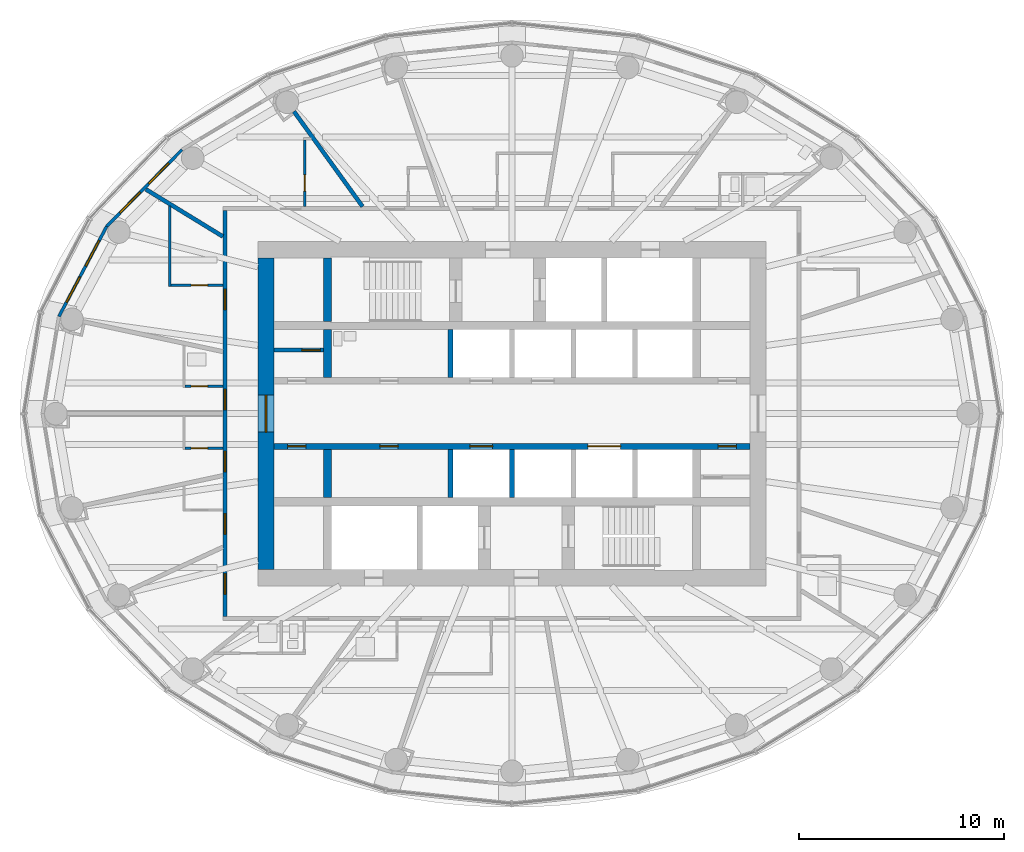
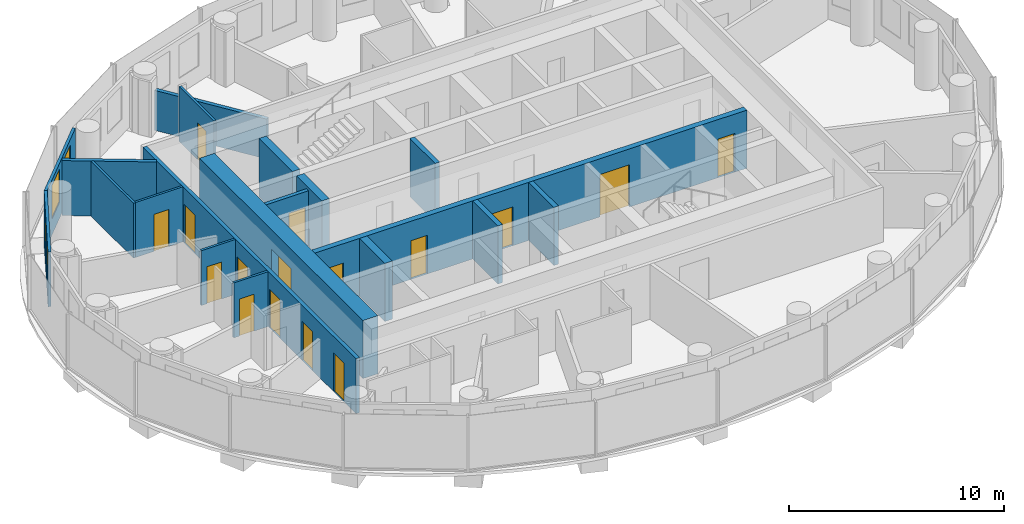
# One storey, part 9 of 16: 19 walls, 16 doors, 4 windows, 20 openings.
"""IFC4 building model written with IfcOpenShell, lengths in metres."""

from ifc_helpers import new_model, si_unit, direction, frame, frame_2d, origin, place, context, subcontext, project, spatial, rectangle, extrude, material, layer, layer_set, type_object, element, fill, save


model = new_model("IFC4")

# Units and contexts
model_context = context("Model", 3, precision=1e-05, world=origin(), true_north=direction((0.0, 1.0)))
body_context = subcontext(model_context, "Body", "Model", "MODEL_VIEW")
ifc_project = project(units=[si_unit("LENGTHUNIT", "METRE"), si_unit("AREAUNIT", "SQUARE_METRE"), si_unit("VOLUMEUNIT", "CUBIC_METRE"), si_unit("PLANEANGLEUNIT", "RADIAN"), si_unit("MASSUNIT", "GRAM", prefix="KILO")], contexts=[model_context])

# Site, building, storey
site_placement = place(None, origin())
site = spatial("IfcSite", under=ifc_project, at=site_placement, CompositionType="ELEMENT")
building_placement = place(site_placement, origin())
building = spatial("IfcBuilding", under=site, at=building_placement, Name="Hankou Lantern Tower", CompositionType="ELEMENT")
storey_placement = place(building_placement, frame((0.0, 0.0, 143.39990234375)))
storey = spatial("IfcBuildingStorey", under=building, at=storey_placement, Name="L37", CompositionType="ELEMENT", Elevation=143.39990234375)

# Wall, opening, door
ifc_material_1 = material(Name="Concrete C60", Category="concrete")
ifc_layer_1 = layer(ifc_material_1, 0.800048828125)
ifc_layer_set_1 = layer_set([ifc_layer_1], Name="Concrete C60")
wall_type_1 = type_object("IfcWallType", Name="CW2 CORE WALL 800", PredefinedType="SHEAR", material=ifc_layer_set_1)
wall_1_placement = place(storey_placement, frame((-12.0, 7.60009765625, 0.0), z_axis=(0.0, 0.0, 1.0), x_axis=(0.0, -1.0, 0.0)))
wall_1 = element("IfcWall", 1, at=wall_1_placement, inside=storey, type_object=wall_type_1, Name="Core wall west L37", PredefinedType="SHEAR", context=body_context, shape_type="SweptSolid", body=[
    extrude(rectangle(XDim=15.2001953125, YDim=0.800048828125, at=frame_2d((7.60009765625, 0.0))), origin(), (0.0, 0.0, 1.0), 3.300048828125),
])
opening_1_placement = place(wall_1_placement, frame((6.699951171875, 0.0, 0.0)))
opening_1 = element("IfcOpeningElement", 2, at=opening_1_placement, cuts=wall_1, Name="Opening D6", PredefinedType="OPENING", context=body_context, shape_type="SweptSolid", body=[
    extrude(rectangle(XDim=1.800048828125, YDim=2.199951171875, at=frame_2d((0.89990234375, 1.10009765625))), frame((0.0, 0.409912109375, 0.0), z_axis=(0.0, -1.0, 0.0), x_axis=(1.0, 0.0, 0.0)), (0.0, 0.0, 1.0), 0.820068359375),
])
ifc_material_2 = material(Name="Steel door leaf", Category="steel")
door_type_1 = type_object("IfcDoorType", Name="D6 LIFT LOBBY DOOR 1800X2200", OperationType="DOUBLE_DOOR_DOUBLE_SWING", PredefinedType="DOOR", material=ifc_material_2)
door_1_placement = place(opening_1_placement, origin())
door_1 = element("IfcDoor", 3, at=door_1_placement, inside=storey, type_object=door_type_1, Name="Lift lobby west door", OperationType="DOUBLE_DOOR_DOUBLE_SWING", OverallHeight=2.199951171875, OverallWidth=1.800048828125, PredefinedType="DOOR", context=body_context, shape_type="SweptSolid", body=[
    extrude(rectangle(XDim=1.800048828125, YDim=2.199951171875, at=frame_2d((0.89990234375, 1.10009765625))), frame((0.0, 0.02490234375, 0.0), z_axis=(0.0, -1.0, 0.0), x_axis=(1.0, 0.0, 0.0)), (0.0, 0.0, 1.0), 0.050048828125),
])
fill(opening_1, door_1)

# Walls
ifc_material_3 = material(Name="Concrete C60", Category="concrete")
ifc_layer_2 = layer(ifc_material_3, 0.39990234375)
ifc_layer_set_2 = layer_set([ifc_layer_2], Name="Concrete C60")
wall_type_2 = type_object("IfcWallType", Name="CW4 CORE CROSS WALL 400", PredefinedType="SHEAR", material=ifc_layer_set_2)
wall_2_placement = place(storey_placement, frame((-9.0, 4.5, 0.0), z_axis=(0.0, 0.0, 1.0), x_axis=(0.0, 1.0, 0.0)))
element("IfcWall", 4, at=wall_2_placement, inside=storey, type_object=wall_type_2, Name="Core strip wall L37", PredefinedType="SHEAR", context=body_context, shape_type="SweptSolid", body=[
    extrude(rectangle(XDim=3.10009765625, YDim=0.39990234375, at=frame_2d((1.550048828125, 0.0))), origin(), (0.0, 0.0, 1.0), 3.300048828125),
])
for number, where, z_axis, x_axis, name in (
    (5, (-9.0, 1.75, 0.0), (0.0, 0.0, 1.0), (0.0, 1.0, 0.0), "Core strip wall L37"),
    (6, (-9.0, -4.10009765625, 0.0), (0.0, 0.0, 1.0), (0.0, 1.0, 0.0), "Core strip wall L37"),
):
    element("IfcWall", number, at=place(storey_placement, frame(where, z_axis=z_axis, x_axis=x_axis)), inside=storey, type_object=wall_type_2, Name=name, PredefinedType="SHEAR", context=body_context, shape_type="SweptSolid", body=[
        extrude(rectangle(XDim=2.35009765625, YDim=0.39990234375, at=frame_2d((1.175048828125, 0.0))), origin(), (0.0, 0.0, 1.0), 3.300048828125),
    ])

# Wall, openings, doors
ifc_material_4 = material(Name="Concrete C60", Category="concrete")
ifc_layer_3 = layer(ifc_material_4, 0.300048828125)
ifc_layer_set_3 = layer_set([ifc_layer_3], Name="Concrete C60")
wall_type_3 = type_object("IfcWallType", Name="CW5 LIFT LOBBY WALL 300", PredefinedType="SHEAR", material=ifc_layer_set_3)
wall_3_placement = place(storey_placement, frame((-11.60009765625, -1.60009765625, 0.0), z_axis=(0.0, 0.0, 1.0), x_axis=(1.0, 0.0, 0.0)))
wall_3 = element("IfcWall", 7, at=wall_3_placement, inside=storey, type_object=wall_type_3, Name="Lift lobby wall south L37", PredefinedType="SHEAR", context=body_context, shape_type="SweptSolid", body=[
    extrude(rectangle(XDim=23.2001953125, YDim=0.300048828125, at=frame_2d((11.60009765625, 0.0))), origin(), (0.0, 0.0, 1.0), 3.300048828125),
])
opening_2_placement = place(wall_3_placement, frame((9.550048828125, 0.0, 0.0)))
opening_2 = element("IfcOpeningElement", 8, at=opening_2_placement, cuts=wall_3, Name="Opening LD1", PredefinedType="OPENING", context=body_context, shape_type="SweptSolid", body=[
    extrude(rectangle(XDim=1.10009765625, YDim=2.199951171875, at=frame_2d((0.550048828125, 1.10009765625))), frame((0.0, 0.159912109375, 0.0), z_axis=(0.0, -1.0, 0.0), x_axis=(1.0, 0.0, 0.0)), (0.0, 0.0, 1.0), 0.320068359375),
])
opening_3_placement = place(wall_3_placement, frame((15.300048828125, 0.0, 0.0)))
opening_3 = element("IfcOpeningElement", 9, at=opening_3_placement, cuts=wall_3, Name="Opening LD4", PredefinedType="OPENING", context=body_context, shape_type="SweptSolid", body=[
    extrude(rectangle(XDim=1.60009765625, YDim=2.39990234375, at=frame_2d((0.800048828125, 1.199951171875))), frame((0.0, 0.159912109375, 0.0), z_axis=(0.0, -1.0, 0.0), x_axis=(1.0, 0.0, 0.0)), (0.0, 0.0, 1.0), 0.320068359375),
])
opening_4_placement = place(wall_3_placement, frame((0.64990234375, 0.0, 0.0)))
opening_4 = element("IfcOpeningElement", 10, at=opening_4_placement, cuts=wall_3, Name="Opening D30", PredefinedType="OPENING", context=body_context, shape_type="SweptSolid", body=[
    extrude(rectangle(XDim=0.89990234375, YDim=2.199951171875, at=frame_2d((0.449951171875, 1.10009765625))), frame((0.0, 0.159912109375, 0.0), z_axis=(0.0, -1.0, 0.0), x_axis=(1.0, 0.0, 0.0)), (0.0, 0.0, 1.0), 0.320068359375),
])
opening_5_placement = place(wall_3_placement, frame((5.14990234375, 0.0, 0.0)))
opening_5 = element("IfcOpeningElement", 11, at=opening_5_placement, cuts=wall_3, Name="Opening D30", PredefinedType="OPENING", context=body_context, shape_type="SweptSolid", body=[
    extrude(rectangle(XDim=0.89990234375, YDim=2.199951171875, at=frame_2d((0.449951171875, 1.10009765625))), frame((0.0, 0.159912109375, 0.0), z_axis=(0.0, -1.0, 0.0), x_axis=(1.0, 0.0, 0.0)), (0.0, 0.0, 1.0), 0.320068359375),
])
opening_6_placement = place(wall_3_placement, frame((21.64990234375, 0.0, 0.0)))
opening_6 = element("IfcOpeningElement", 12, at=opening_6_placement, cuts=wall_3, Name="Opening D30", PredefinedType="OPENING", context=body_context, shape_type="SweptSolid", body=[
    extrude(rectangle(XDim=0.89990234375, YDim=2.199951171875, at=frame_2d((0.449951171875, 1.10009765625))), frame((0.0, 0.159912109375, 0.0), z_axis=(0.0, -1.0, 0.0), x_axis=(1.0, 0.0, 0.0)), (0.0, 0.0, 1.0), 0.320068359375),
])
ifc_material_5 = material(Name="Steel door leaf", Category="steel")
door_type_2 = type_object("IfcDoorType", Name="D30 CORE ROOM DOOR 900X2200", OperationType="SINGLE_SWING_LEFT", PredefinedType="DOOR", material=ifc_material_5)
door_2_placement = place(opening_4_placement, origin())
door_2 = element("IfcDoor", 13, at=door_2_placement, inside=storey, type_object=door_type_2, Name="IT and telecoms room door", OperationType="SINGLE_SWING_LEFT", OverallHeight=2.199951171875, OverallWidth=0.89990234375, PredefinedType="DOOR", context=body_context, shape_type="SweptSolid", body=[
    extrude(rectangle(XDim=0.89990234375, YDim=2.199951171875, at=frame_2d((0.449951171875, 1.10009765625))), frame((0.0, 0.02490234375, 0.0), z_axis=(0.0, -1.0, 0.0), x_axis=(1.0, 0.0, 0.0)), (0.0, 0.0, 1.0), 0.050048828125),
])
fill(opening_4, door_2)
door_3_placement = place(opening_5_placement, origin())
door_3 = element("IfcDoor", 14, at=door_3_placement, inside=storey, type_object=door_type_2, Name="Engineering store door", OperationType="SINGLE_SWING_LEFT", OverallHeight=2.199951171875, OverallWidth=0.89990234375, PredefinedType="DOOR", context=body_context, shape_type="SweptSolid", body=[
    extrude(rectangle(XDim=0.89990234375, YDim=2.199951171875, at=frame_2d((0.449951171875, 1.10009765625))), frame((0.0, 0.02490234375, 0.0), z_axis=(0.0, -1.0, 0.0), x_axis=(1.0, 0.0, 0.0)), (0.0, 0.0, 1.0), 0.050048828125),
])
fill(opening_5, door_3)
door_4_placement = place(opening_6_placement, origin())
door_4 = element("IfcDoor", 15, at=door_4_placement, inside=storey, type_object=door_type_2, Name="Cleaner's store door", OperationType="SINGLE_SWING_RIGHT", OverallHeight=2.199951171875, OverallWidth=0.89990234375, PredefinedType="DOOR", context=body_context, shape_type="SweptSolid", body=[
    extrude(rectangle(XDim=0.89990234375, YDim=2.199951171875, at=frame_2d((0.449951171875, 1.10009765625))), frame((0.0, 0.02490234375, 0.0), z_axis=(0.0, -1.0, 0.0), x_axis=(1.0, 0.0, 0.0)), (0.0, 0.0, 1.0), 0.050048828125),
])
fill(opening_6, door_4)
ifc_material_6 = material(Name="Steel door leaf", Category="steel")
door_type_3 = type_object("IfcDoorType", Name="LD1 LIFT LANDING DOOR 1100X2200", OperationType="DOUBLE_DOOR_SLIDING", PredefinedType="DOOR", material=ifc_material_6)
door_5_placement = place(opening_2_placement, origin())
door_5 = element("IfcDoor", 16, at=door_5_placement, inside=storey, type_object=door_type_3, Name="Lift H3 landing door", OperationType="DOUBLE_DOOR_SLIDING", OverallHeight=2.199951171875, OverallWidth=1.10009765625, PredefinedType="DOOR", context=body_context, shape_type="SweptSolid", body=[
    extrude(rectangle(XDim=1.10009765625, YDim=2.199951171875, at=frame_2d((0.550048828125, 1.10009765625))), frame((0.0, 0.02490234375, 0.0), z_axis=(0.0, -1.0, 0.0), x_axis=(1.0, 0.0, 0.0)), (0.0, 0.0, 1.0), 0.050048828125),
])
fill(opening_2, door_5)
ifc_material_7 = material(Name="Steel door leaf", Category="steel")
door_type_4 = type_object("IfcDoorType", Name="LD4 SERVICE LIFT LANDING DOOR 1600X2400", OperationType="DOUBLE_DOOR_SLIDING", PredefinedType="DOOR", material=ifc_material_7)
door_6_placement = place(opening_3_placement, origin())
door_6 = element("IfcDoor", 17, at=door_6_placement, inside=storey, type_object=door_type_4, Name="Lift SV1 landing door", OperationType="DOUBLE_DOOR_SLIDING", OverallHeight=2.39990234375, OverallWidth=1.60009765625, PredefinedType="DOOR", context=body_context, shape_type="SweptSolid", body=[
    extrude(rectangle(XDim=1.60009765625, YDim=2.39990234375, at=frame_2d((0.800048828125, 1.199951171875))), frame((0.0, 0.02490234375, 0.0), z_axis=(0.0, -1.0, 0.0), x_axis=(1.0, 0.0, 0.0)), (0.0, 0.0, 1.0), 0.050048828125),
])
fill(opening_3, door_6)

# Wall, openings, windows
ifc_material_8 = material(Name="Aluminium spandrel panel on steel studs", Category="steel")
ifc_layer_4 = layer(ifc_material_8, 0.14990234375)
ifc_layer_set_4 = layer_set([ifc_layer_4], Name="Aluminium spandrel panel on steel studs")
wall_type_4 = type_object("IfcWallType", Name="EW1 INNER SKIN WALL 150", PredefinedType="ELEMENTEDWALL", material=ifc_layer_set_4)
wall_4_placement = place(storey_placement, frame((-16.0947265625, 12.875732421875, 0.0), z_axis=(0.0, 0.0, 1.0), x_axis=(-0.700727467776, -0.71342905457, 0.0)))
wall_4 = element("IfcWall", 18, at=wall_4_placement, inside=storey, type_object=wall_type_4, Name="Inner skin R10-R11 L37", PredefinedType="ELEMENTEDWALL", context=body_context, shape_type="SweptSolid", body=[
    extrude(rectangle(XDim=5.247314453125, YDim=0.14990234375, at=frame_2d((2.62353515625, 0.0))), origin(), (0.0, 0.0, 1.0), 3.1201171875),
])
opening_7_placement = place(wall_4_placement, frame((0.923583984375, 0.0, 0.89990234375)))
opening_7 = element("IfcOpeningElement", 19, at=opening_7_placement, cuts=wall_4, Name="Opening W3", PredefinedType="OPENING", context=body_context, shape_type="SweptSolid", body=[
    extrude(rectangle(XDim=1.39990234375, YDim=1.89990234375, at=frame_2d((0.699951171875, 0.949951171875))), frame((0.0, 0.0849609375, 0.0), z_axis=(0.0, -1.0, 0.0), x_axis=(1.0, 0.0, 0.0)), (0.0, 0.0, 1.0), 0.169921875),
])
opening_8_placement = place(wall_4_placement, frame((2.923583984375, 0.0, 0.89990234375)))
opening_8 = element("IfcOpeningElement", 20, at=opening_8_placement, cuts=wall_4, Name="Opening W3", PredefinedType="OPENING", context=body_context, shape_type="SweptSolid", body=[
    extrude(rectangle(XDim=1.39990234375, YDim=1.89990234375, at=frame_2d((0.699951171875, 0.949951171875))), frame((0.0, 0.0849609375, 0.0), z_axis=(0.0, -1.0, 0.0), x_axis=(1.0, 0.0, 0.0)), (0.0, 0.0, 1.0), 0.169921875),
])
ifc_material_9 = material(Name="Aluminium framed double glazed window", Category="aluminium")
window_type = type_object("IfcWindowType", Name="W3 GUEST ROOM WINDOW 1400X1900", PartitioningType="DOUBLE_PANEL_VERTICAL", PredefinedType="WINDOW", material=ifc_material_9)
window_1_placement = place(opening_7_placement, origin())
window_1 = element("IfcWindow", 21, at=window_1_placement, inside=storey, type_object=window_type, Name="Window R10.1 L37", OverallHeight=1.89990234375, OverallWidth=1.39990234375, PartitioningType="SINGLE_PANEL", PredefinedType="WINDOW", context=body_context, shape_type="SweptSolid", body=[
    extrude(rectangle(XDim=1.39990234375, YDim=1.89990234375, at=frame_2d((0.699951171875, 0.949951171875))), frame((0.0, 0.030029296875, 0.0), z_axis=(0.0, -1.0, 0.0), x_axis=(1.0, 0.0, 0.0)), (0.0, 0.0, 1.0), 0.06005859375),
])
fill(opening_7, window_1)
window_2_placement = place(opening_8_placement, origin())
window_2 = element("IfcWindow", 22, at=window_2_placement, inside=storey, type_object=window_type, Name="Window R10.2 L37", OverallHeight=1.89990234375, OverallWidth=1.39990234375, PartitioningType="SINGLE_PANEL", PredefinedType="WINDOW", context=body_context, shape_type="SweptSolid", body=[
    extrude(rectangle(XDim=1.39990234375, YDim=1.89990234375, at=frame_2d((0.699951171875, 0.949951171875))), frame((0.0, 0.030029296875, 0.0), z_axis=(0.0, -1.0, 0.0), x_axis=(1.0, 0.0, 0.0)), (0.0, 0.0, 1.0), 0.06005859375),
])
fill(opening_8, window_2)

wall_5_placement = place(storey_placement, frame((-19.771728515625, 9.132080078125, 0.0), z_axis=(0.0, 0.0, 1.0), x_axis=(-0.468428906714, -0.883501193748, 0.0)))
wall_5 = element("IfcWall", 23, at=wall_5_placement, inside=storey, type_object=wall_type_4, Name="Inner skin R11-R12 L37", PredefinedType="ELEMENTEDWALL", context=body_context, shape_type="SweptSolid", body=[
    extrude(rectangle(XDim=4.9736328125, YDim=0.14990234375, at=frame_2d((2.48681640625, 0.0))), origin(), (0.0, 0.0, 1.0), 3.1201171875),
])
opening_9_placement = place(wall_5_placement, frame((0.786865234375, 0.0, 0.89990234375)))
opening_9 = element("IfcOpeningElement", 24, at=opening_9_placement, cuts=wall_5, Name="Opening W3", PredefinedType="OPENING", context=body_context, shape_type="SweptSolid", body=[
    extrude(rectangle(XDim=1.39990234375, YDim=1.89990234375, at=frame_2d((0.699951171875, 0.949951171875))), frame((0.0, 0.0849609375, 0.0), z_axis=(0.0, -1.0, 0.0), x_axis=(1.0, 0.0, 0.0)), (0.0, 0.0, 1.0), 0.169921875),
])
opening_10_placement = place(wall_5_placement, frame((2.786865234375, 0.0, 0.89990234375)))
opening_10 = element("IfcOpeningElement", 25, at=opening_10_placement, cuts=wall_5, Name="Opening W3", PredefinedType="OPENING", context=body_context, shape_type="SweptSolid", body=[
    extrude(rectangle(XDim=1.39990234375, YDim=1.89990234375, at=frame_2d((0.699951171875, 0.949951171875))), frame((0.0, 0.0849609375, 0.0), z_axis=(0.0, -1.0, 0.0), x_axis=(1.0, 0.0, 0.0)), (0.0, 0.0, 1.0), 0.169921875),
])
window_3_placement = place(opening_9_placement, origin())
window_3 = element("IfcWindow", 26, at=window_3_placement, inside=storey, type_object=window_type, Name="Window R11.1 L37", OverallHeight=1.89990234375, OverallWidth=1.39990234375, PartitioningType="SINGLE_PANEL", PredefinedType="WINDOW", context=body_context, shape_type="SweptSolid", body=[
    extrude(rectangle(XDim=1.39990234375, YDim=1.89990234375, at=frame_2d((0.699951171875, 0.949951171875))), frame((0.0, 0.030029296875, 0.0), z_axis=(0.0, -1.0, 0.0), x_axis=(1.0, 0.0, 0.0)), (0.0, 0.0, 1.0), 0.06005859375),
])
fill(opening_9, window_3)
window_4_placement = place(opening_10_placement, origin())
window_4 = element("IfcWindow", 27, at=window_4_placement, inside=storey, type_object=window_type, Name="Window R11.2 L37", OverallHeight=1.89990234375, OverallWidth=1.39990234375, PartitioningType="SINGLE_PANEL", PredefinedType="WINDOW", context=body_context, shape_type="SweptSolid", body=[
    extrude(rectangle(XDim=1.39990234375, YDim=1.89990234375, at=frame_2d((0.699951171875, 0.949951171875))), frame((0.0, 0.030029296875, 0.0), z_axis=(0.0, -1.0, 0.0), x_axis=(1.0, 0.0, 0.0)), (0.0, 0.0, 1.0), 0.06005859375),
])
fill(opening_10, window_4)

# Wall
ifc_material_10 = material(Name="Masonry lightweight concrete block", Category="masonry")
ifc_layer_5 = layer(ifc_material_10, 0.199951171875)
ifc_layer_set_5 = layer_set([ifc_layer_5], Name="Masonry lightweight concrete block")
wall_type_5 = type_object("IfcWallType", Name="IW1 GUEST ROOM PARTY WALL 200", PredefinedType="PARTITIONING", material=ifc_layer_set_5)
wall_6_placement = place(storey_placement, frame((-14.10009765625, 8.63623046875, 0.0), z_axis=(0.0, 0.0, 1.0), x_axis=(-0.852731884196, 0.522348862041, 0.0)))
element("IfcWall", 28, at=wall_6_placement, inside=storey, type_object=wall_type_5, Name="Party wall R10-R11", PredefinedType="PARTITIONING", context=body_context, shape_type="SweptSolid", body=[
    extrude(rectangle(XDim=4.404296875, YDim=0.199951171875, at=frame_2d((2.2021484375, 0.0))), origin(), (0.0, 0.0, 1.0), 3.1201171875),
])

# Wall, openings, doors
ifc_material_11 = material(Name="Masonry lightweight concrete block", Category="masonry")
ifc_layer_6 = layer(ifc_material_11, 0.199951171875)
ifc_layer_set_6 = layer_set([ifc_layer_6], Name="Masonry lightweight concrete block")
wall_type_6 = type_object("IfcWallType", Name="IW2 CORRIDOR WALL 200", PredefinedType="PARTITIONING", material=ifc_layer_set_6)
wall_7_placement = place(storey_placement, frame((-14.0, 9.89990234375, 0.0), z_axis=(0.0, 0.0, 1.0), x_axis=(0.0, -1.0, 0.0)))
wall_7 = element("IfcWall", 29, at=wall_7_placement, inside=storey, type_object=wall_type_6, Name="Corridor wall west", PredefinedType="PARTITIONING", context=body_context, shape_type="SweptSolid", body=[
    extrude(rectangle(XDim=19.7998046875, YDim=0.199951171875, at=frame_2d((9.89990234375, 0.0))), origin(), (0.0, 0.0, 1.0), 3.1201171875),
])
opening_11_placement = place(wall_7_placement, frame((8.717529296875, 0.0, 0.0)))
opening_11 = element("IfcOpeningElement", 30, at=opening_11_placement, cuts=wall_7, Name="Opening D13", PredefinedType="OPENING", context=body_context, shape_type="SweptSolid", body=[
    extrude(rectangle(XDim=1.0, YDim=2.199951171875, at=frame_2d((0.5, 1.10009765625))), frame((0.0, 0.10986328125, 0.0), z_axis=(0.0, -1.0, 0.0), x_axis=(1.0, 0.0, 0.0)), (0.0, 0.0, 1.0), 0.219970703125),
])
opening_12_placement = place(wall_7_placement, frame((11.739990234375, 0.0, 0.0)))
opening_12 = element("IfcOpeningElement", 31, at=opening_12_placement, cuts=wall_7, Name="Opening D13", PredefinedType="OPENING", context=body_context, shape_type="SweptSolid", body=[
    extrude(rectangle(XDim=1.0, YDim=2.199951171875, at=frame_2d((0.5, 1.10009765625))), frame((0.0, 0.10986328125, 0.0), z_axis=(0.0, -1.0, 0.0), x_axis=(1.0, 0.0, 0.0)), (0.0, 0.0, 1.0), 0.219970703125),
])
opening_13_placement = place(wall_7_placement, frame((14.782470703125, 0.0, 0.0)))
opening_13 = element("IfcOpeningElement", 32, at=opening_13_placement, cuts=wall_7, Name="Opening D13", PredefinedType="OPENING", context=body_context, shape_type="SweptSolid", body=[
    extrude(rectangle(XDim=1.0, YDim=2.199951171875, at=frame_2d((0.5, 1.10009765625))), frame((0.0, 0.10986328125, 0.0), z_axis=(0.0, -1.0, 0.0), x_axis=(1.0, 0.0, 0.0)), (0.0, 0.0, 1.0), 0.219970703125),
])
opening_14_placement = place(wall_7_placement, frame((17.706787109375, 0.0, 0.0)))
opening_14 = element("IfcOpeningElement", 33, at=opening_14_placement, cuts=wall_7, Name="Opening D13", PredefinedType="OPENING", context=body_context, shape_type="SweptSolid", body=[
    extrude(rectangle(XDim=1.0, YDim=2.199951171875, at=frame_2d((0.5, 1.10009765625))), frame((0.0, 0.10986328125, 0.0), z_axis=(0.0, -1.0, 0.0), x_axis=(1.0, 0.0, 0.0)), (0.0, 0.0, 1.0), 0.219970703125),
])
opening_15_placement = place(wall_7_placement, frame((3.82373046875, 0.0, 0.0)))
opening_15 = element("IfcOpeningElement", 34, at=opening_15_placement, cuts=wall_7, Name="Opening D1", PredefinedType="OPENING", context=body_context, shape_type="SweptSolid", body=[
    extrude(rectangle(XDim=1.0, YDim=2.199951171875, at=frame_2d((0.5, 1.10009765625))), frame((0.0, 0.10986328125, 0.0), z_axis=(0.0, -1.0, 0.0), x_axis=(1.0, 0.0, 0.0)), (0.0, 0.0, 1.0), 0.219970703125),
])
ifc_material_12 = material(Name="Steel door leaf", Category="steel")
door_type_5 = type_object("IfcDoorType", Name="D1 GUEST ROOM DOOR 1000X2200", OperationType="SINGLE_SWING_LEFT", PredefinedType="DOOR", material=ifc_material_12)
door_7_placement = place(opening_15_placement, origin())
door_7 = element("IfcDoor", 35, at=door_7_placement, inside=storey, type_object=door_type_5, Name="Guest room door 3717", OperationType="SINGLE_SWING_LEFT", OverallHeight=2.199951171875, OverallWidth=1.0, PredefinedType="DOOR", context=body_context, shape_type="SweptSolid", body=[
    extrude(rectangle(XDim=1.0, YDim=2.199951171875, at=frame_2d((0.5, 1.10009765625))), frame((0.0, 0.02490234375, 0.0), z_axis=(0.0, -1.0, 0.0), x_axis=(1.0, 0.0, 0.0)), (0.0, 0.0, 1.0), 0.050048828125),
])
fill(opening_15, door_7)
ifc_material_13 = material(Name="Timber door leaf", Category="wood")
door_type_6 = type_object("IfcDoorType", Name="D13 ROOM DOOR 1000X2200", OperationType="SINGLE_SWING_LEFT", PredefinedType="DOOR", material=ifc_material_13)
door_8_placement = place(opening_11_placement, origin())
door_8 = element("IfcDoor", 36, at=door_8_placement, inside=storey, type_object=door_type_6, Name="Room door 3701", OperationType="SINGLE_SWING_LEFT", OverallHeight=2.199951171875, OverallWidth=1.0, PredefinedType="DOOR", context=body_context, shape_type="SweptSolid", body=[
    extrude(rectangle(XDim=1.0, YDim=2.199951171875, at=frame_2d((0.5, 1.10009765625))), frame((0.0, 0.02490234375, 0.0), z_axis=(0.0, -1.0, 0.0), x_axis=(1.0, 0.0, 0.0)), (0.0, 0.0, 1.0), 0.050048828125),
])
fill(opening_11, door_8)
door_9_placement = place(opening_12_placement, origin())
door_9 = element("IfcDoor", 37, at=door_9_placement, inside=storey, type_object=door_type_6, Name="Room door 3702", OperationType="SINGLE_SWING_RIGHT", OverallHeight=2.199951171875, OverallWidth=1.0, PredefinedType="DOOR", context=body_context, shape_type="SweptSolid", body=[
    extrude(rectangle(XDim=1.0, YDim=2.199951171875, at=frame_2d((0.5, 1.10009765625))), frame((0.0, 0.02490234375, 0.0), z_axis=(0.0, -1.0, 0.0), x_axis=(1.0, 0.0, 0.0)), (0.0, 0.0, 1.0), 0.050048828125),
])
fill(opening_12, door_9)
door_10_placement = place(opening_13_placement, origin())
door_10 = element("IfcDoor", 38, at=door_10_placement, inside=storey, type_object=door_type_6, Name="Room door 3703", OperationType="SINGLE_SWING_RIGHT", OverallHeight=2.199951171875, OverallWidth=1.0, PredefinedType="DOOR", context=body_context, shape_type="SweptSolid", body=[
    extrude(rectangle(XDim=1.0, YDim=2.199951171875, at=frame_2d((0.5, 1.10009765625))), frame((0.0, 0.02490234375, 0.0), z_axis=(0.0, -1.0, 0.0), x_axis=(1.0, 0.0, 0.0)), (0.0, 0.0, 1.0), 0.050048828125),
])
fill(opening_13, door_10)
door_11_placement = place(opening_14_placement, origin())
door_11 = element("IfcDoor", 39, at=door_11_placement, inside=storey, type_object=door_type_6, Name="Room door 3704", OperationType="SINGLE_SWING_RIGHT", OverallHeight=2.199951171875, OverallWidth=1.0, PredefinedType="DOOR", context=body_context, shape_type="SweptSolid", body=[
    extrude(rectangle(XDim=1.0, YDim=2.199951171875, at=frame_2d((0.5, 1.10009765625))), frame((0.0, 0.02490234375, 0.0), z_axis=(0.0, -1.0, 0.0), x_axis=(1.0, 0.0, 0.0)), (0.0, 0.0, 1.0), 0.050048828125),
])
fill(opening_14, door_11)

# Wall, opening, door
ifc_material_14 = material(Name="Masonry lightweight concrete block", Category="masonry")
ifc_layer_7 = layer(ifc_material_14, 0.1201171875)
ifc_layer_set_7 = layer_set([ifc_layer_7], Name="Masonry lightweight concrete block")
wall_type_7 = type_object("IfcWallType", Name="IW3 BATHROOM WALL 120", PredefinedType="PARTITIONING", material=ifc_layer_set_7)
wall_8_placement = place(storey_placement, frame((-14.10009765625, 1.342529296875, 0.0), z_axis=(0.0, 0.0, 1.0), x_axis=(-1.0, 0.0, 0.0)))
wall_8 = element("IfcWall", 40, at=wall_8_placement, inside=storey, type_object=wall_type_7, Name="Box wall 3701 1", PredefinedType="PARTITIONING", context=body_context, shape_type="SweptSolid", body=[
    extrude(rectangle(XDim=1.83984375, YDim=0.1201171875, at=frame_2d((0.919921875, 0.0))), origin(), (0.0, 0.0, 1.0), 3.1201171875),
])
opening_16_placement = place(wall_8_placement, frame((0.75, 0.0, 0.0)))
opening_16 = element("IfcOpeningElement", 41, at=opening_16_placement, cuts=wall_8, Name="Opening D3", PredefinedType="OPENING", context=body_context, shape_type="SweptSolid", body=[
    extrude(rectangle(XDim=0.800048828125, YDim=2.10009765625, at=frame_2d((0.39990234375, 1.050048828125))), frame((0.0, 0.070068359375, 0.0), z_axis=(0.0, -1.0, 0.0), x_axis=(1.0, 0.0, 0.0)), (0.0, 0.0, 1.0), 0.14013671875),
])
ifc_material_15 = material(Name="Timber door leaf", Category="wood")
door_type_7 = type_object("IfcDoorType", Name="D3 BATHROOM DOOR 800X2100", OperationType="SINGLE_SWING_LEFT", PredefinedType="DOOR", material=ifc_material_15)
door_12_placement = place(opening_16_placement, origin())
door_12 = element("IfcDoor", 42, at=door_12_placement, inside=storey, type_object=door_type_7, Name="Spa treatment room 3701 shower room door", OperationType="SINGLE_SWING_LEFT", OverallHeight=2.10009765625, OverallWidth=0.800048828125, PredefinedType="DOOR", context=body_context, shape_type="SweptSolid", body=[
    extrude(rectangle(XDim=0.800048828125, YDim=2.10009765625, at=frame_2d((0.39990234375, 1.050048828125))), frame((0.0, 0.02490234375, 0.0), z_axis=(0.0, -1.0, 0.0), x_axis=(1.0, 0.0, 0.0)), (0.0, 0.0, 1.0), 0.050048828125),
])
fill(opening_16, door_12)

wall_9_placement = place(storey_placement, frame((-14.10009765625, -1.679931640625, 0.0), z_axis=(0.0, 0.0, 1.0), x_axis=(-1.0, 0.0, 0.0)))
wall_9 = element("IfcWall", 43, at=wall_9_placement, inside=storey, type_object=wall_type_7, Name="Box wall 3702 1", PredefinedType="PARTITIONING", context=body_context, shape_type="SweptSolid", body=[
    extrude(rectangle(XDim=1.83984375, YDim=0.1201171875, at=frame_2d((0.919921875, 0.0))), origin(), (0.0, 0.0, 1.0), 3.1201171875),
])
opening_17_placement = place(wall_9_placement, frame((0.75, 0.0, 0.0)))
opening_17 = element("IfcOpeningElement", 44, at=opening_17_placement, cuts=wall_9, Name="Opening D3", PredefinedType="OPENING", context=body_context, shape_type="SweptSolid", body=[
    extrude(rectangle(XDim=0.800048828125, YDim=2.10009765625, at=frame_2d((0.39990234375, 1.050048828125))), frame((0.0, 0.070068359375, 0.0), z_axis=(0.0, -1.0, 0.0), x_axis=(1.0, 0.0, 0.0)), (0.0, 0.0, 1.0), 0.14013671875),
])
door_13_placement = place(opening_17_placement, origin())
door_13 = element("IfcDoor", 45, at=door_13_placement, inside=storey, type_object=door_type_7, Name="Spa treatment room 3702 shower room door", OperationType="SINGLE_SWING_LEFT", OverallHeight=2.10009765625, OverallWidth=0.800048828125, PredefinedType="DOOR", context=body_context, shape_type="SweptSolid", body=[
    extrude(rectangle(XDim=0.800048828125, YDim=2.10009765625, at=frame_2d((0.39990234375, 1.050048828125))), frame((0.0, 0.02490234375, 0.0), z_axis=(0.0, -1.0, 0.0), x_axis=(1.0, 0.0, 0.0)), (0.0, 0.0, 1.0), 0.050048828125),
])
fill(opening_17, door_13)

wall_10_placement = place(storey_placement, frame((-10.119140625, 10.10009765625, 0.0), z_axis=(0.0, 0.0, 1.0), x_axis=(0.0, 1.0, 0.0)))
wall_10 = element("IfcWall", 46, at=wall_10_placement, inside=storey, type_object=wall_type_7, Name="Box wall 3716 1", PredefinedType="PARTITIONING", context=body_context, shape_type="SweptSolid", body=[
    extrude(rectangle(XDim=3.239990234375, YDim=0.1201171875, at=frame_2d((1.6201171875, 0.0))), origin(), (0.0, 0.0, 1.0), 3.1201171875),
])
opening_18_placement = place(wall_10_placement, frame((0.75, 0.0, 0.0)))
opening_18 = element("IfcOpeningElement", 47, at=opening_18_placement, cuts=wall_10, Name="Opening D3", PredefinedType="OPENING", context=body_context, shape_type="SweptSolid", body=[
    extrude(rectangle(XDim=0.800048828125, YDim=2.10009765625, at=frame_2d((0.39990234375, 1.050048828125))), frame((0.0, 0.070068359375, 0.0), z_axis=(0.0, -1.0, 0.0), x_axis=(1.0, 0.0, 0.0)), (0.0, 0.0, 1.0), 0.14013671875),
])
door_14_placement = place(opening_18_placement, origin())
door_14 = element("IfcDoor", 48, at=door_14_placement, inside=storey, type_object=door_type_7, Name="En-suite bathroom 3716 door", OperationType="SINGLE_SWING_LEFT", OverallHeight=2.10009765625, OverallWidth=0.800048828125, PredefinedType="DOOR", context=body_context, shape_type="SweptSolid", body=[
    extrude(rectangle(XDim=0.800048828125, YDim=2.10009765625, at=frame_2d((0.39990234375, 1.050048828125))), frame((0.0, 0.02490234375, 0.0), z_axis=(0.0, -1.0, 0.0), x_axis=(1.0, 0.0, 0.0)), (0.0, 0.0, 1.0), 0.050048828125),
])
fill(opening_18, door_14)

# Wall
wall_11_placement = place(storey_placement, frame((-16.699951171875, 10.12890625, 0.0), z_axis=(0.0, 0.0, 1.0), x_axis=(0.0, -1.0, 0.0)))
element("IfcWall", 49, at=wall_11_placement, inside=storey, type_object=wall_type_7, Name="Box wall 3717 1", PredefinedType="PARTITIONING", context=body_context, shape_type="SweptSolid", body=[
    extrude(rectangle(XDim=3.9326171875, YDim=0.1201171875, at=frame_2d((1.96630859375, 0.0))), origin(), (0.0, 0.0, 1.0), 3.1201171875),
])

# Wall, opening, door
wall_12_placement = place(storey_placement, frame((-14.10009765625, 6.25634765625, 0.0), z_axis=(0.0, 0.0, 1.0), x_axis=(-1.0, 0.0, 0.0)))
wall_12 = element("IfcWall", 50, at=wall_12_placement, inside=storey, type_object=wall_type_7, Name="Box wall 3717 1", PredefinedType="PARTITIONING", context=body_context, shape_type="SweptSolid", body=[
    extrude(rectangle(XDim=2.539794921875, YDim=0.1201171875, at=frame_2d((1.27001953125, 0.0))), origin(), (0.0, 0.0, 1.0), 3.1201171875),
])
opening_19_placement = place(wall_12_placement, frame((0.75, 0.0, 0.0)))
opening_19 = element("IfcOpeningElement", 51, at=opening_19_placement, cuts=wall_12, Name="Opening D3", PredefinedType="OPENING", context=body_context, shape_type="SweptSolid", body=[
    extrude(rectangle(XDim=0.800048828125, YDim=2.10009765625, at=frame_2d((0.39990234375, 1.050048828125))), frame((0.0, 0.070068359375, 0.0), z_axis=(0.0, -1.0, 0.0), x_axis=(1.0, 0.0, 0.0)), (0.0, 0.0, 1.0), 0.14013671875),
])
door_15_placement = place(opening_19_placement, origin())
door_15 = element("IfcDoor", 52, at=door_15_placement, inside=storey, type_object=door_type_7, Name="En-suite bathroom 3717 door", OperationType="SINGLE_SWING_LEFT", OverallHeight=2.10009765625, OverallWidth=0.800048828125, PredefinedType="DOOR", context=body_context, shape_type="SweptSolid", body=[
    extrude(rectangle(XDim=0.800048828125, YDim=2.10009765625, at=frame_2d((0.39990234375, 1.050048828125))), frame((0.0, 0.02490234375, 0.0), z_axis=(0.0, -1.0, 0.0), x_axis=(1.0, 0.0, 0.0)), (0.0, 0.0, 1.0), 0.050048828125),
])
fill(opening_19, door_15)

# Wall
ifc_material_16 = material(Name="Masonry lightweight concrete block", Category="masonry")
ifc_layer_8 = layer(ifc_material_16, 0.199951171875)
ifc_layer_set_8 = layer_set([ifc_layer_8], Name="Masonry lightweight concrete block")
wall_type_8 = type_object("IfcWallType", Name="IW8 PARTITION 200", PredefinedType="PARTITIONING", material=ifc_layer_set_8)
wall_13_placement = place(storey_placement, frame((-7.2890625, 10.10009765625, 0.0), z_axis=(0.0, 0.0, 1.0), x_axis=(-0.585222595178, 0.810872686735, 0.0)))
element("IfcWall", 53, at=wall_13_placement, inside=storey, type_object=wall_type_8, Name="Partition R09", PredefinedType="PARTITIONING", context=body_context, shape_type="SweptSolid", body=[
    extrude(rectangle(XDim=5.722412109375, YDim=0.199951171875, at=frame_2d((2.861328125, 0.0))), origin(), (0.0, 0.0, 1.0), 2.27001953125),
])

# Wall, opening, door
wall_14_placement = place(storey_placement, frame((-11.60009765625, 3.10009765625, 0.0), z_axis=(0.0, 0.0, 1.0), x_axis=(1.0, 0.0, 0.0)))
wall_14 = element("IfcWall", 54, at=wall_14_placement, inside=storey, type_object=wall_type_8, Name="Partition room service pantry", PredefinedType="PARTITIONING", context=body_context, shape_type="SweptSolid", body=[
    extrude(rectangle(XDim=2.400146484375, YDim=0.199951171875, at=frame_2d((1.2001953125, 0.0))), origin(), (0.0, 0.0, 1.0), 3.1201171875),
])
opening_20_placement = place(wall_14_placement, frame((1.35009765625, 0.0, 0.0)))
opening_20 = element("IfcOpeningElement", 55, at=opening_20_placement, cuts=wall_14, Name="Opening D12", PredefinedType="OPENING", context=body_context, shape_type="SweptSolid", body=[
    extrude(rectangle(XDim=0.89990234375, YDim=2.199951171875, at=frame_2d((0.449951171875, 1.10009765625))), frame((0.0, 0.10986328125, 0.0), z_axis=(0.0, -1.0, 0.0), x_axis=(1.0, 0.0, 0.0)), (0.0, 0.0, 1.0), 0.219970703125),
])
ifc_material_17 = material(Name="Steel door leaf", Category="steel")
door_type_8 = type_object("IfcDoorType", Name="D12 STORE DOOR 900X2200", OperationType="SINGLE_SWING_LEFT", PredefinedType="DOOR", material=ifc_material_17)
door_16_placement = place(opening_20_placement, origin())
door_16 = element("IfcDoor", 56, at=door_16_placement, inside=storey, type_object=door_type_8, Name="Room service cupboard door", OperationType="SINGLE_SWING_RIGHT", OverallHeight=2.199951171875, OverallWidth=0.89990234375, PredefinedType="DOOR", context=body_context, shape_type="SweptSolid", body=[
    extrude(rectangle(XDim=0.89990234375, YDim=2.199951171875, at=frame_2d((0.449951171875, 1.10009765625))), frame((0.0, 0.02490234375, 0.0), z_axis=(0.0, -1.0, 0.0), x_axis=(1.0, 0.0, 0.0)), (0.0, 0.0, 1.0), 0.050048828125),
])
fill(opening_20, door_16)

# Walls
ifc_material_18 = material(Name="Masonry autoclaved aerated concrete block", Category="masonry")
ifc_layer_9 = layer(ifc_material_18, 0.25)
ifc_layer_set_9 = layer_set([ifc_layer_9], Name="Masonry autoclaved aerated concrete block")
wall_type_9 = type_object("IfcWallType", Name="SW1 SHAFT BLOCK WALL 250", PredefinedType="PARTITIONING", material=ifc_layer_set_9)
for number, where, z_axis, x_axis, name in (
    (57, (-3.0, 1.75, 0.0), (0.0, 0.0, 1.0), (0.0, 1.0, 0.0), "Lift shaft wall L37"),
    (58, (-3.0, -4.10009765625, 0.0), (0.0, 0.0, 1.0), (0.0, 1.0, 0.0), "Lift shaft wall L37"),
    (59, (0.0, -4.10009765625, 0.0), (0.0, 0.0, 1.0), (0.0, 1.0, 0.0), "Lift shaft wall L37"),
):
    element("IfcWall", number, at=place(storey_placement, frame(where, z_axis=z_axis, x_axis=x_axis)), inside=storey, type_object=wall_type_9, Name=name, PredefinedType="PARTITIONING", context=body_context, shape_type="SweptSolid", body=[
        extrude(rectangle(XDim=2.35009765625, YDim=0.25, at=frame_2d((1.175048828125, 0.0))), origin(), (0.0, 0.0, 1.0), 3.300048828125),
    ])

save(model, "model.ifc")
